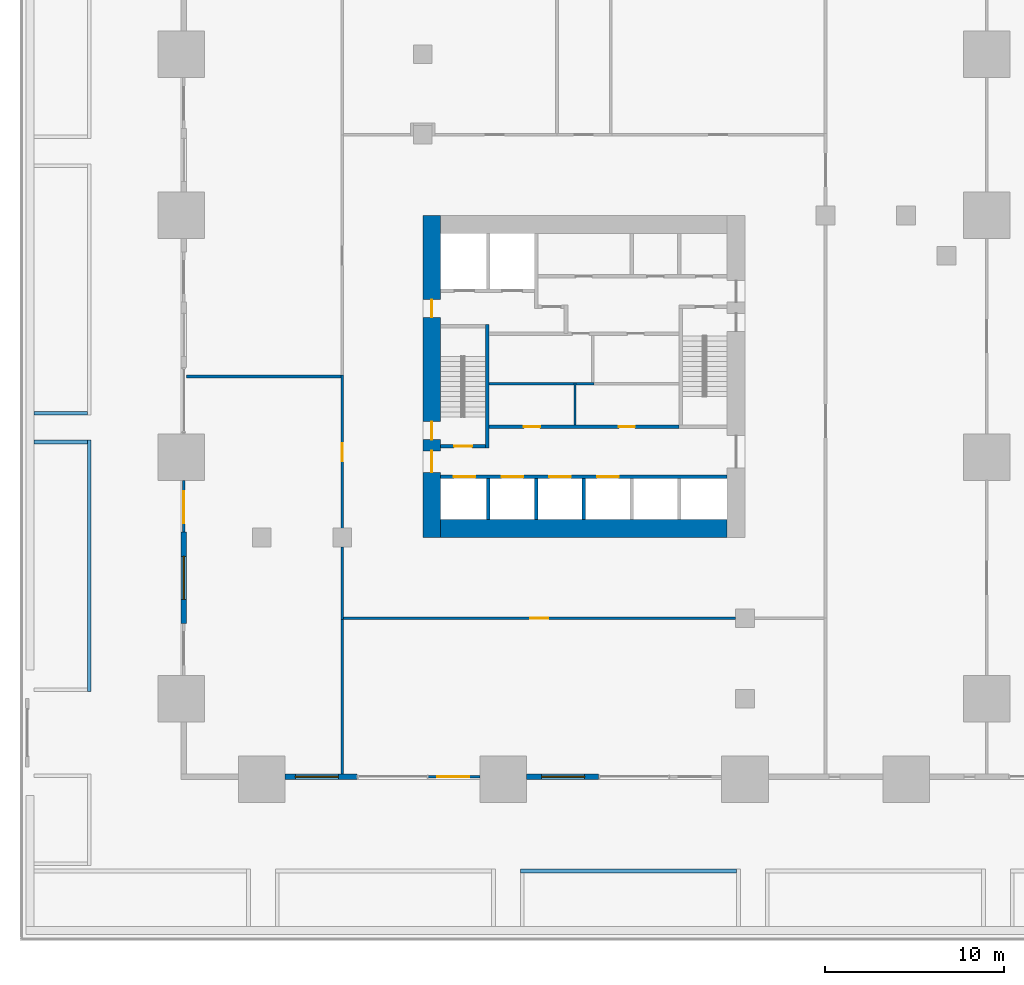
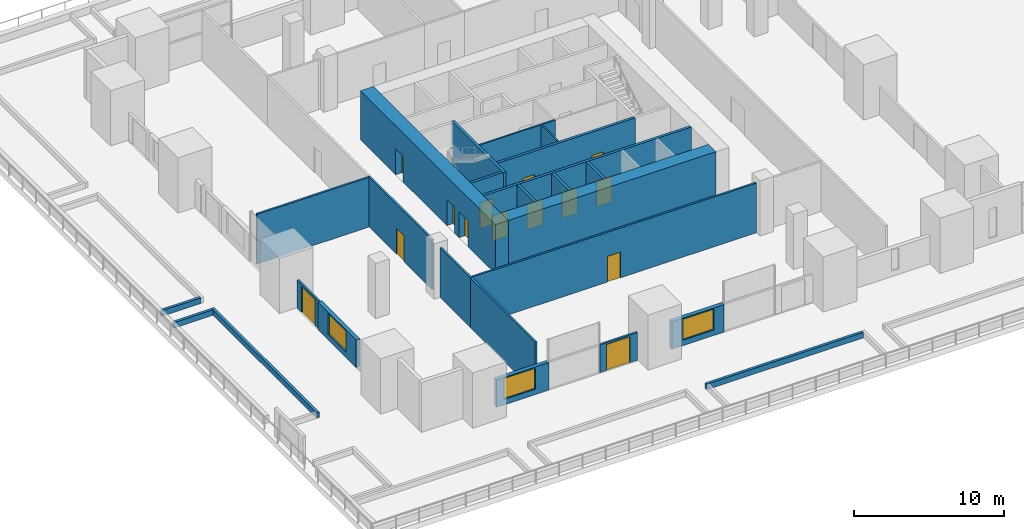
# One storey, part 14 of 26: 26 walls, 14 doors, 3 windows, 17 openings.
"""IFC4 building model written with IfcOpenShell, lengths in metres."""

from ifc_helpers import new_model, si_unit, direction, frame, frame_2d, origin, place, context, subcontext, project, spatial, rectangle, extrude, material, layer, layer_set, type_object, element, fill, save


model = new_model("IFC4")

# Units and contexts
model_context = context("Model", 3, precision=1e-05, world=origin(), true_north=direction((0.0, 1.0)))
body_context = subcontext(model_context, "Body", "Model", "MODEL_VIEW")
ifc_project = project(units=[si_unit("LENGTHUNIT", "METRE"), si_unit("AREAUNIT", "SQUARE_METRE"), si_unit("VOLUMEUNIT", "CUBIC_METRE"), si_unit("PLANEANGLEUNIT", "RADIAN"), si_unit("MASSUNIT", "GRAM", prefix="KILO")], contexts=[model_context])

# Site, building, storey
site_placement = place(None, origin())
site = spatial("IfcSite", under=ifc_project, at=site_placement, CompositionType="ELEMENT")
building_placement = place(site_placement, origin())
building = spatial("IfcBuilding", under=site, at=building_placement, Name="Altepetl Exchange Towers", CompositionType="ELEMENT")
storey_placement = place(building_placement, frame((0.0, 0.0, 16.5)))
storey = spatial("IfcBuildingStorey", under=building, at=storey_placement, Name="L03 Podium terrace", CompositionType="ELEMENT", Elevation=16.5)

# Wall
ifc_material_1 = material(Name="Concrete C70/85", Category="concrete")
ifc_layer_1 = layer(ifc_material_1, 1.0)
ifc_layer_set_1 = layer_set([ifc_layer_1], Name="Concrete C70/85")
wall_type_1 = type_object("IfcWallType", Name="Core wall 1000 reinforced concrete", PredefinedType="SHEAR", material=ifc_layer_set_1)
wall_1_placement = place(storey_placement, frame((41.5, 41.0, 0.0)))
element("IfcWall", 1, at=wall_1_placement, inside=storey, type_object=wall_type_1, Name="wall:A:L03:K-coreS", PredefinedType="SHEAR", context=body_context, shape_type="SweptSolid", body=[
    extrude(rectangle(XDim=16.0, YDim=1.0, at=frame_2d((8.0, 0.0))), origin(), (0.0, 0.0, 1.0), 4.0),
])

# Wall, openings, doors
wall_2_placement = place(storey_placement, frame((41.0, 40.5, 0.0), z_axis=(0.0, 0.0, 1.0), x_axis=(0.0, 1.0, 0.0)))
wall_2 = element("IfcWall", 2, at=wall_2_placement, inside=storey, type_object=wall_type_1, Name="wall:A:L03:K-coreW", PredefinedType="SHEAR", context=body_context, shape_type="SweptSolid", body=[
    extrude(rectangle(XDim=18.0, YDim=1.0, at=frame_2d((9.0, 0.0))), origin(), (0.0, 0.0, 1.0), 4.0),
])
opening_1_placement = place(wall_2_placement, frame((3.64990234375, 0.0, 0.0)))
opening_1 = element("IfcOpeningElement", 3, at=opening_1_placement, cuts=wall_2, Name="Opening L03.A62", PredefinedType="OPENING", context=body_context, shape_type="SweptSolid", body=[
    extrude(rectangle(XDim=1.199951171875, YDim=2.10009765625, at=frame_2d((0.60009765625, 1.050048828125))), frame((0.0, 0.510009765625, 0.0), z_axis=(0.0, -1.0, 0.0), x_axis=(1.0, 0.0, 0.0)), (0.0, 0.0, 1.0), 1.02001953125),
])
opening_2_placement = place(wall_2_placement, frame((5.47509765625, 0.0, 0.0)))
opening_2 = element("IfcOpeningElement", 4, at=opening_2_placement, cuts=wall_2, Name="Opening L03.A64", PredefinedType="OPENING", context=body_context, shape_type="SweptSolid", body=[
    extrude(rectangle(XDim=1.0, YDim=2.10009765625, at=frame_2d((0.5, 1.050048828125))), frame((0.0, 0.510009765625, 0.0), z_axis=(0.0, -1.0, 0.0), x_axis=(1.0, 0.0, 0.0)), (0.0, 0.0, 1.0), 1.02001953125),
])
opening_3_placement = place(wall_2_placement, frame((12.300048828125, 0.0, 0.0)))
opening_3 = element("IfcOpeningElement", 5, at=opening_3_placement, cuts=wall_2, Name="Opening L03.A68", PredefinedType="OPENING", context=body_context, shape_type="SweptSolid", body=[
    extrude(rectangle(XDim=1.0, YDim=2.10009765625, at=frame_2d((0.5, 1.050048828125))), frame((0.0, 0.510009765625, 0.0), z_axis=(0.0, -1.0, 0.0), x_axis=(1.0, 0.0, 0.0)), (0.0, 0.0, 1.0), 1.02001953125),
])
ifc_material_2 = material(Name="Steel and timber fire door", Category="steel")
door_type_1 = type_object("IfcDoorType", Name="Fire door 1000 x 2100 stair and lobby", OperationType="SINGLE_SWING_LEFT", PredefinedType="DOOR", material=ifc_material_2)
door_1_placement = place(opening_2_placement, frame((1.0, 0.0, 0.0), x_axis=(-1.0, 0.0, 0.0)))
door_1 = element("IfcDoor", 6, at=door_1_placement, inside=storey, type_object=door_type_1, Name="door:A:L03:K-dS1x", OperationType="SINGLE_SWING_RIGHT", OverallHeight=2.10009765625, OverallWidth=1.0, PredefinedType="DOOR", context=body_context, shape_type="SweptSolid", body=[
    extrude(rectangle(XDim=1.0, YDim=2.10009765625, at=frame_2d((0.5, 1.050048828125))), frame((0.0, 0.02490234375, 0.0), z_axis=(0.0, -1.0, 0.0), x_axis=(1.0, 0.0, 0.0)), (0.0, 0.0, 1.0), 0.050048828125),
])
fill(opening_2, door_1)
door_2_placement = place(opening_3_placement, frame((1.0, 0.0, 0.0), x_axis=(-1.0, 0.0, 0.0)))
door_2 = element("IfcDoor", 7, at=door_2_placement, inside=storey, type_object=door_type_1, Name="door:A:L03:K-dffW", OperationType="SINGLE_SWING_LEFT", OverallHeight=2.10009765625, OverallWidth=1.0, PredefinedType="DOOR", context=body_context, shape_type="SweptSolid", body=[
    extrude(rectangle(XDim=1.0, YDim=2.10009765625, at=frame_2d((0.5, 1.050048828125))), frame((0.0, 0.02490234375, 0.0), z_axis=(0.0, -1.0, 0.0), x_axis=(1.0, 0.0, 0.0)), (0.0, 0.0, 1.0), 0.050048828125),
])
fill(opening_3, door_2)
door_type_2 = type_object("IfcDoorType", Name="Fire door 1200 x 2100 lobby entry", OperationType="SINGLE_SWING_LEFT", PredefinedType="DOOR", material=ifc_material_2)
door_3_placement = place(opening_1_placement, frame((1.199951171875, 0.0, 0.0), x_axis=(-1.0, 0.0, 0.0)))
door_3 = element("IfcDoor", 8, at=door_3_placement, inside=storey, type_object=door_type_2, Name="door:A:L03:K-dLSW", OperationType="SINGLE_SWING_LEFT", OverallHeight=2.10009765625, OverallWidth=1.199951171875, PredefinedType="DOOR", context=body_context, shape_type="SweptSolid", body=[
    extrude(rectangle(XDim=1.199951171875, YDim=2.10009765625, at=frame_2d((0.60009765625, 1.050048828125))), frame((0.0, 0.02490234375, 0.0), z_axis=(0.0, -1.0, 0.0), x_axis=(1.0, 0.0, 0.0)), (0.0, 0.0, 1.0), 0.050048828125),
])
fill(opening_1, door_3)

# Wall, opening, door
ifc_material_3 = material(Name="Aluminium composite cladding", Category="aluminium")
ifc_layer_2 = layer(ifc_material_3, 0.14990234375)
ifc_layer_set_2 = layer_set([ifc_layer_2], Name="Aluminium composite cladding")
wall_type_2 = type_object("IfcWallType", Name="Infill wall 150 aluminium panel", PredefinedType="SOLIDWALL", material=ifc_layer_set_2)
wall_3_placement = place(storey_placement, frame((40.800048828125, 27.14990234375, 0.0)))
wall_3 = element("IfcWall", 9, at=wall_3_placement, inside=storey, type_object=wall_type_2, Name="Door bay wall", PredefinedType="SOLIDWALL", context=body_context, shape_type="SweptSolid", body=[
    extrude(rectangle(XDim=2.89990234375, YDim=0.14990234375, at=frame_2d((1.449951171875, 0.0))), origin(), (0.0, 0.0, 1.0), 2.25),
])
opening_4_placement = place(wall_3_placement, frame((0.5, 0.0, 0.0)))
opening_4 = element("IfcOpeningElement", 10, at=opening_4_placement, cuts=wall_3, Name="Opening L03.E08", PredefinedType="OPENING", context=body_context, shape_type="SweptSolid", body=[
    extrude(rectangle(XDim=1.800048828125, YDim=2.10009765625, at=frame_2d((0.89990234375, 1.050048828125))), frame((0.0, 0.0849609375, 0.0), z_axis=(0.0, -1.0, 0.0), x_axis=(1.0, 0.0, 0.0)), (0.0, 0.0, 1.0), 0.169921875),
])
ifc_material_4 = material(Name="Aluminium 6063-T6 and glass", Category="aluminium")
door_type_3 = type_object("IfcDoorType", Name="Glazed door pair 1800x2100", OperationType="DOUBLE_DOOR_DOUBLE_SWING", PredefinedType="NOTDEFINED", material=ifc_material_4)
door_4_placement = place(opening_4_placement, frame((1.800048828125, 0.0, 0.0), x_axis=(-1.0, 0.0, 0.0)))
door_4 = element("IfcDoor", 11, at=door_4_placement, inside=storey, type_object=door_type_3, Name="Terrace door", OperationType="DOUBLE_DOOR_DOUBLE_SWING", OverallHeight=2.10009765625, OverallWidth=1.800048828125, PredefinedType="NOTDEFINED", context=body_context, shape_type="SweptSolid", body=[
    extrude(rectangle(XDim=1.800048828125, YDim=2.10009765625, at=frame_2d((0.89990234375, 1.050048828125))), frame((0.0, 0.02490234375, 0.0), z_axis=(0.0, -1.0, 0.0), x_axis=(1.0, 0.0, 0.0)), (0.0, 0.0, 1.0), 0.050048828125),
])
fill(opening_4, door_4)

wall_4_placement = place(storey_placement, frame((27.14990234375, 43.699951171875, 0.0), z_axis=(0.0, 0.0, 1.0), x_axis=(0.0, -1.0, 0.0)))
wall_4 = element("IfcWall", 12, at=wall_4_placement, inside=storey, type_object=wall_type_2, Name="Door bay wall", PredefinedType="SOLIDWALL", context=body_context, shape_type="SweptSolid", body=[
    extrude(rectangle(XDim=2.89990234375, YDim=0.14990234375, at=frame_2d((1.449951171875, 0.0))), origin(), (0.0, 0.0, 1.0), 2.25),
])
opening_5_placement = place(wall_4_placement, frame((0.60009765625, 0.0, 0.0)))
opening_5 = element("IfcOpeningElement", 13, at=opening_5_placement, cuts=wall_4, Name="Opening L03.E05", PredefinedType="OPENING", context=body_context, shape_type="SweptSolid", body=[
    extrude(rectangle(XDim=1.800048828125, YDim=2.10009765625, at=frame_2d((0.89990234375, 1.050048828125))), frame((0.0, 0.0849609375, 0.0), z_axis=(0.0, -1.0, 0.0), x_axis=(1.0, 0.0, 0.0)), (0.0, 0.0, 1.0), 0.169921875),
])
door_5_placement = place(opening_5_placement, frame((1.800048828125, 0.0, 0.0), x_axis=(-1.0, 0.0, 0.0)))
door_5 = element("IfcDoor", 14, at=door_5_placement, inside=storey, type_object=door_type_3, Name="Terrace door", OperationType="DOUBLE_DOOR_DOUBLE_SWING", OverallHeight=2.10009765625, OverallWidth=1.800048828125, PredefinedType="NOTDEFINED", context=body_context, shape_type="SweptSolid", body=[
    extrude(rectangle(XDim=1.800048828125, YDim=2.10009765625, at=frame_2d((0.89990234375, 1.050048828125))), frame((0.0, 0.02490234375, 0.0), z_axis=(0.0, -1.0, 0.0), x_axis=(1.0, 0.0, 0.0)), (0.0, 0.0, 1.0), 0.050048828125),
])
fill(opening_5, door_5)

# Wall, openings, doors
ifc_material_5 = material(Name="Concrete blockwork", Category="masonry")
ifc_layer_3 = layer(ifc_material_5, 0.199951171875)
ifc_layer_set_3 = layer_set([ifc_layer_3], Name="Concrete blockwork")
wall_type_3 = type_object("IfcWallType", Name="Lobby wall 200 blockwork", PredefinedType="PARTITIONING", material=ifc_layer_set_3)
wall_5_placement = place(storey_placement, frame((44.199951171875, 46.699951171875, 0.0)))
wall_5 = element("IfcWall", 15, at=wall_5_placement, inside=storey, type_object=wall_type_3, Name="wall:A:L03:K-zoneS", PredefinedType="PARTITIONING", context=body_context, shape_type="SweptSolid", body=[
    extrude(rectangle(XDim=10.60009765625, YDim=0.199951171875, at=frame_2d((5.300048828125, 0.0))), origin(), (0.0, 0.0, 1.0), 4.0),
])
opening_6_placement = place(wall_5_placement, frame((1.949951171875, 0.0, 0.0)))
opening_6 = element("IfcOpeningElement", 16, at=opening_6_placement, cuts=wall_5, Name="Opening L03.A72", PredefinedType="OPENING", context=body_context, shape_type="SweptSolid", body=[
    extrude(rectangle(XDim=0.89990234375, YDim=2.10009765625, at=frame_2d((0.449951171875, 1.050048828125))), frame((0.0, 0.10986328125, 0.0), z_axis=(0.0, -1.0, 0.0), x_axis=(1.0, 0.0, 0.0)), (0.0, 0.0, 1.0), 0.219970703125),
])
opening_7_placement = place(wall_5_placement, frame((7.25, 0.0, 0.0)))
opening_7 = element("IfcOpeningElement", 17, at=opening_7_placement, cuts=wall_5, Name="Opening L03.A73", PredefinedType="OPENING", context=body_context, shape_type="SweptSolid", body=[
    extrude(rectangle(XDim=0.89990234375, YDim=2.10009765625, at=frame_2d((0.449951171875, 1.050048828125))), frame((0.0, 0.10986328125, 0.0), z_axis=(0.0, -1.0, 0.0), x_axis=(1.0, 0.0, 0.0)), (0.0, 0.0, 1.0), 0.219970703125),
])
door_type_4 = type_object("IfcDoorType", Name="Fire door 900 x 2100 service room", OperationType="SINGLE_SWING_LEFT", PredefinedType="DOOR", material=ifc_material_2)
door_6_placement = place(opening_6_placement, origin())
door_6 = element("IfcDoor", 18, at=door_6_placement, inside=storey, type_object=door_type_4, Name="door:A:L03:K-dz1", OperationType="SINGLE_SWING_LEFT", OverallHeight=2.10009765625, OverallWidth=0.89990234375, PredefinedType="DOOR", context=body_context, shape_type="SweptSolid", body=[
    extrude(rectangle(XDim=0.89990234375, YDim=2.10009765625, at=frame_2d((0.449951171875, 1.050048828125))), frame((0.0, 0.02490234375, 0.0), z_axis=(0.0, -1.0, 0.0), x_axis=(1.0, 0.0, 0.0)), (0.0, 0.0, 1.0), 0.050048828125),
])
fill(opening_6, door_6)
door_7_placement = place(opening_7_placement, origin())
door_7 = element("IfcDoor", 19, at=door_7_placement, inside=storey, type_object=door_type_4, Name="door:A:L03:K-dz2", OperationType="SINGLE_SWING_LEFT", OverallHeight=2.10009765625, OverallWidth=0.89990234375, PredefinedType="DOOR", context=body_context, shape_type="SweptSolid", body=[
    extrude(rectangle(XDim=0.89990234375, YDim=2.10009765625, at=frame_2d((0.449951171875, 1.050048828125))), frame((0.0, 0.02490234375, 0.0), z_axis=(0.0, -1.0, 0.0), x_axis=(1.0, 0.0, 0.0)), (0.0, 0.0, 1.0), 0.050048828125),
])
fill(opening_7, door_7)

# Walls
ifc_material_6 = material(Name="Gypsum board on steel studs", Category="steel")
ifc_layer_4 = layer(ifc_material_6, 0.125)
ifc_layer_set_4 = layer_set([ifc_layer_4], Name="Gypsum board on steel studs")
wall_type_4 = type_object("IfcWallType", Name="Partition 125 gypsum board on steel studs", PredefinedType="PARTITIONING", material=ifc_layer_set_4)
wall_6_placement = place(storey_placement, frame((49.0, 46.800048828125, 0.0), z_axis=(0.0, 0.0, 1.0), x_axis=(0.0, 1.0, 0.0)))
element("IfcWall", 20, at=wall_6_placement, inside=storey, type_object=wall_type_4, Name="wall:A:L03:K-zp1", PredefinedType="PARTITIONING", context=body_context, shape_type="SweptSolid", body=[
    extrude(rectangle(XDim=2.362548828125, YDim=0.125, at=frame_2d((1.18115234375, 0.0))), origin(), (0.0, 0.0, 1.0), 4.0),
])
wall_7_placement = place(storey_placement, frame((49.0, 49.10009765625, 0.0), z_axis=(0.0, 0.0, 1.0), x_axis=(-1.0, 0.0, 0.0)))
element("IfcWall", 21, at=wall_7_placement, inside=storey, type_object=wall_type_4, Name="wall:A:L03:K-zp2", PredefinedType="PARTITIONING", context=body_context, shape_type="SweptSolid", body=[
    extrude(rectangle(XDim=4.800048828125, YDim=0.125, at=frame_2d((2.39990234375, 0.0))), origin(), (0.0, 0.0, 1.0), 4.0),
])
wall_8_placement = place(storey_placement, frame((50.0625, 49.10009765625, 0.0), z_axis=(0.0, 0.0, 1.0), x_axis=(-1.0, 0.0, 0.0)))
element("IfcWall", 22, at=wall_8_placement, inside=storey, type_object=wall_type_4, Name="wall:A:L03:K-zp3", PredefinedType="PARTITIONING", context=body_context, shape_type="SweptSolid", body=[
    extrude(rectangle(XDim=1.0, YDim=0.125, at=frame_2d((0.5, 0.0))), origin(), (0.0, 0.0, 1.0), 4.0),
])
ifc_material_7 = material(Name="Reinforced concrete C35/45", Category="concrete")
ifc_layer_5 = layer(ifc_material_7, 0.199951171875)
ifc_layer_set_5 = layer_set([ifc_layer_5], Name="Reinforced concrete C35/45")
wall_type_5 = type_object("IfcWallType", Name="Planting bed curb 200", PredefinedType="SOLIDWALL", material=ifc_layer_set_5)
wall_9_placement = place(storey_placement, frame((45.949951171875, 21.875, 0.0)))
element("IfcWall", 23, at=wall_9_placement, inside=storey, type_object=wall_type_5, Name="wall:P:L03:CB06n", PredefinedType="SOLIDWALL", context=body_context, shape_type="SweptSolid", body=[
    extrude(rectangle(XDim=12.087646484375, YDim=0.199951171875, at=frame_2d((6.0439453125, 0.0))), origin(), (0.0, 0.0, 1.0), 0.449951171875),
])
wall_10_placement = place(storey_placement, frame((21.875, 31.89990234375, 0.0), z_axis=(0.0, 0.0, 1.0), x_axis=(0.0, 1.0, 0.0)))
element("IfcWall", 24, at=wall_10_placement, inside=storey, type_object=wall_type_5, Name="wall:P:L03:CB20e", PredefinedType="SOLIDWALL", context=body_context, shape_type="SweptSolid", body=[
    extrude(rectangle(XDim=14.041748046875, YDim=0.199951171875, at=frame_2d((7.02099609375, 0.0))), origin(), (0.0, 0.0, 1.0), 0.449951171875),
])
for number, where, name in (
    (25, (18.77490234375, 45.841796875, 0.0), "wall:P:L03:CB20n"),
    (26, (18.77490234375, 47.441650390625, 0.0), "wall:P:L03:CB21s"),
):
    element("IfcWall", number, at=place(storey_placement, frame(where)), inside=storey, type_object=wall_type_5, Name=name, PredefinedType="SOLIDWALL", context=body_context, shape_type="SweptSolid", body=[
        extrude(rectangle(XDim=3.0, YDim=0.199951171875, at=frame_2d((1.5, 0.0))), origin(), (0.0, 0.0, 1.0), 0.449951171875),
    ])
ifc_layer_6 = layer(ifc_material_6, 0.14990234375)
ifc_layer_set_6 = layer_set([ifc_layer_6], Name="Gypsum board on steel studs")
wall_type_6 = type_object("IfcWallType", Name="Podium partition 150", PredefinedType="PARTITIONING", material=ifc_layer_set_6)
wall_11_placement = place(storey_placement, frame((36.0, 35.925048828125, 0.0), z_axis=(0.0, 0.0, 1.0), x_axis=(0.0, 1.0, 0.0)))
element("IfcWall", 27, at=wall_11_placement, inside=storey, type_object=wall_type_6, Name="wall:P:L03:P016", PredefinedType="PARTITIONING", context=body_context, shape_type="SweptSolid", body=[
    extrude(rectangle(XDim=4.054931640625, YDim=0.14990234375, at=frame_2d((2.02734375, 0.0))), origin(), (0.0, 0.0, 1.0), 4.050048828125),
])

# Wall, opening, door
wall_12_placement = place(storey_placement, frame((36.0, 41.02001953125, 0.0), z_axis=(0.0, 0.0, 1.0), x_axis=(0.0, 1.0, 0.0)))
wall_12 = element("IfcWall", 28, at=wall_12_placement, inside=storey, type_object=wall_type_6, Name="wall:P:L03:P017", PredefinedType="PARTITIONING", context=body_context, shape_type="SweptSolid", body=[
    extrude(rectangle(XDim=8.554931640625, YDim=0.14990234375, at=frame_2d((4.27734375, 0.0))), origin(), (0.0, 0.0, 1.0), 4.050048828125),
])
opening_8_placement = place(wall_12_placement, frame((3.75, 0.0, 0.0)))
opening_8 = element("IfcOpeningElement", 29, at=opening_8_placement, cuts=wall_12, Name="Opening L03.P001", PredefinedType="OPENING", context=body_context, shape_type="SweptSolid", body=[
    extrude(rectangle(XDim=1.0, YDim=2.10009765625, at=frame_2d((0.5, 1.050048828125))), frame((0.0, 0.0849609375, 0.0), z_axis=(0.0, -1.0, 0.0), x_axis=(1.0, 0.0, 0.0)), (0.0, 0.0, 1.0), 0.169921875),
])
door_type_5 = type_object("IfcDoorType", Name="Podium fire door 1000 x 2100 single leaf", OperationType="SINGLE_SWING_LEFT", PredefinedType="DOOR", material=ifc_material_2)
door_8_placement = place(opening_8_placement, origin())
door_8 = element("IfcDoor", 30, at=door_8_placement, inside=storey, type_object=door_type_5, Name="door:P:L03:001", OperationType="SINGLE_SWING_RIGHT", OverallHeight=2.10009765625, OverallWidth=1.0, PredefinedType="DOOR", context=body_context, shape_type="SweptSolid", body=[
    extrude(rectangle(XDim=1.0, YDim=2.10009765625, at=frame_2d((0.5, 1.050048828125))), frame((0.0, 0.02490234375, 0.0), z_axis=(0.0, -1.0, 0.0), x_axis=(1.0, 0.0, 0.0)), (0.0, 0.0, 1.0), 0.050048828125),
])
fill(opening_8, door_8)

wall_13_placement = place(storey_placement, frame((36.074951171875, 36.0, 0.0)))
wall_13 = element("IfcWall", 31, at=wall_13_placement, inside=storey, type_object=wall_type_6, Name="wall:P:L03:P019", PredefinedType="PARTITIONING", context=body_context, shape_type="SweptSolid", body=[
    extrude(rectangle(XDim=21.905029296875, YDim=0.14990234375, at=frame_2d((10.95263671875, 0.0))), origin(), (0.0, 0.0, 1.0), 4.050048828125),
])
opening_9_placement = place(wall_13_placement, frame((10.425048828125, 0.0, 0.0)))
opening_9 = element("IfcOpeningElement", 32, at=opening_9_placement, cuts=wall_13, Name="Opening L03.P003", PredefinedType="OPENING", context=body_context, shape_type="SweptSolid", body=[
    extrude(rectangle(XDim=1.0, YDim=2.10009765625, at=frame_2d((0.5, 1.050048828125))), frame((0.0, 0.0849609375, 0.0), z_axis=(0.0, -1.0, 0.0), x_axis=(1.0, 0.0, 0.0)), (0.0, 0.0, 1.0), 0.169921875),
])
door_9_placement = place(opening_9_placement, frame((1.0, 0.0, 0.0), x_axis=(-1.0, 0.0, 0.0)))
door_9 = element("IfcDoor", 33, at=door_9_placement, inside=storey, type_object=door_type_5, Name="door:P:L03:003", OperationType="SINGLE_SWING_LEFT", OverallHeight=2.10009765625, OverallWidth=1.0, PredefinedType="DOOR", context=body_context, shape_type="SweptSolid", body=[
    extrude(rectangle(XDim=1.0, YDim=2.10009765625, at=frame_2d((0.5, 1.050048828125))), frame((0.0, 0.02490234375, 0.0), z_axis=(0.0, -1.0, 0.0), x_axis=(1.0, 0.0, 0.0)), (0.0, 0.0, 1.0), 0.050048828125),
])
fill(opening_9, door_9)

# Walls
wall_14_placement = place(storey_placement, frame((27.300048828125, 49.5, 0.0)))
element("IfcWall", 34, at=wall_14_placement, inside=storey, type_object=wall_type_6, Name="wall:P:L03:P028", PredefinedType="PARTITIONING", context=body_context, shape_type="SweptSolid", body=[
    extrude(rectangle(XDim=8.625, YDim=0.14990234375, at=frame_2d((4.3125, 0.0))), origin(), (0.0, 0.0, 1.0), 4.050048828125),
])
wall_15_placement = place(storey_placement, frame((36.0, 27.300048828125, 0.0), z_axis=(0.0, 0.0, 1.0), x_axis=(0.0, 1.0, 0.0)))
element("IfcWall", 35, at=wall_15_placement, inside=storey, type_object=wall_type_6, Name="wall:P:L03:P029", PredefinedType="PARTITIONING", context=body_context, shape_type="SweptSolid", body=[
    extrude(rectangle(XDim=8.699951171875, YDim=0.14990234375, at=frame_2d((4.35009765625, 0.0))), origin(), (0.0, 0.0, 1.0), 4.050048828125),
])
ifc_material_8 = material(Name="Concrete C40/50", Category="concrete")
ifc_layer_7 = layer(ifc_material_8, 0.199951171875)
ifc_layer_set_7 = layer_set([ifc_layer_7], Name="Concrete C40/50")
wall_type_7 = type_object("IfcWallType", Name="Shaft wall 200 reinforced concrete", PredefinedType="SHEAR", material=ifc_layer_set_7)
for number, where, z_axis, x_axis, name in (
    (36, (44.166748046875, 41.5, 0.0), (0.0, 0.0, 1.0), (0.0, 1.0, 0.0), "wall:A:L03:K-divS1"),
    (37, (46.833251953125, 41.5, 0.0), (0.0, 0.0, 1.0), (0.0, 1.0, 0.0), "wall:A:L03:K-divS2"),
    (38, (49.5, 41.5, 0.0), (0.0, 0.0, 1.0), (0.0, 1.0, 0.0), "wall:A:L03:K-divS3"),
):
    element("IfcWall", number, at=place(storey_placement, frame(where, z_axis=z_axis, x_axis=x_axis)), inside=storey, type_object=wall_type_7, Name=name, PredefinedType="SHEAR", context=body_context, shape_type="SweptSolid", body=[
        extrude(rectangle(XDim=2.300048828125, YDim=0.199951171875, at=frame_2d((1.14990234375, 0.0))), origin(), (0.0, 0.0, 1.0), 4.0),
    ])

# Wall, openings, doors
wall_16_placement = place(storey_placement, frame((41.5, 43.89990234375, 0.0)))
wall_16 = element("IfcWall", 39, at=wall_16_placement, inside=storey, type_object=wall_type_7, Name="wall:A:L03:K-frontS", PredefinedType="SHEAR", context=body_context, shape_type="SweptSolid", body=[
    extrude(rectangle(XDim=16.0, YDim=0.199951171875, at=frame_2d((8.0, 0.0))), origin(), (0.0, 0.0, 1.0), 4.0),
])
opening_10_placement = place(wall_16_placement, frame((0.7333984375, 0.0, 0.0)))
opening_10 = element("IfcOpeningElement", 40, at=opening_10_placement, cuts=wall_16, Name="Opening L03.A78", PredefinedType="OPENING", context=body_context, shape_type="SweptSolid", body=[
    extrude(rectangle(XDim=1.199951171875, YDim=2.10009765625, at=frame_2d((0.60009765625, 1.050048828125))), frame((0.0, 0.10986328125, 0.0), z_axis=(0.0, -1.0, 0.0), x_axis=(1.0, 0.0, 0.0)), (0.0, 0.0, 1.0), 0.219970703125),
])
opening_11_placement = place(wall_16_placement, frame((3.39990234375, 0.0, 0.0)))
opening_11 = element("IfcOpeningElement", 41, at=opening_11_placement, cuts=wall_16, Name="Opening L03.A79", PredefinedType="OPENING", context=body_context, shape_type="SweptSolid", body=[
    extrude(rectangle(XDim=1.199951171875, YDim=2.10009765625, at=frame_2d((0.60009765625, 1.050048828125))), frame((0.0, 0.10986328125, 0.0), z_axis=(0.0, -1.0, 0.0), x_axis=(1.0, 0.0, 0.0)), (0.0, 0.0, 1.0), 0.219970703125),
])
opening_12_placement = place(wall_16_placement, frame((6.066650390625, 0.0, 0.0)))
opening_12 = element("IfcOpeningElement", 42, at=opening_12_placement, cuts=wall_16, Name="Opening L03.A80", PredefinedType="OPENING", context=body_context, shape_type="SweptSolid", body=[
    extrude(rectangle(XDim=1.199951171875, YDim=2.10009765625, at=frame_2d((0.60009765625, 1.050048828125))), frame((0.0, 0.10986328125, 0.0), z_axis=(0.0, -1.0, 0.0), x_axis=(1.0, 0.0, 0.0)), (0.0, 0.0, 1.0), 0.219970703125),
])
opening_13_placement = place(wall_16_placement, frame((8.7333984375, 0.0, 0.0)))
opening_13 = element("IfcOpeningElement", 43, at=opening_13_placement, cuts=wall_16, Name="Opening L03.A81", PredefinedType="OPENING", context=body_context, shape_type="SweptSolid", body=[
    extrude(rectangle(XDim=1.199951171875, YDim=2.10009765625, at=frame_2d((0.60009765625, 1.050048828125))), frame((0.0, 0.10986328125, 0.0), z_axis=(0.0, -1.0, 0.0), x_axis=(1.0, 0.0, 0.0)), (0.0, 0.0, 1.0), 0.219970703125),
])
ifc_material_9 = material(Name="Stainless steel", Category="steel")
door_type_6 = type_object("IfcDoorType", Name="Lift landing door 1200 x 2100", OperationType="SLIDING_TO_LEFT", PredefinedType="DOOR", material=ifc_material_9)
door_10_placement = place(opening_10_placement, origin())
door_10 = element("IfcDoor", 44, at=door_10_placement, inside=storey, type_object=door_type_6, Name="Landing door P1", OperationType="SLIDING_TO_LEFT", OverallHeight=2.10009765625, OverallWidth=1.199951171875, PredefinedType="DOOR", context=body_context, shape_type="SweptSolid", body=[
    extrude(rectangle(XDim=1.199951171875, YDim=2.10009765625, at=frame_2d((0.60009765625, 1.050048828125))), frame((0.0, 0.02490234375, 0.0), z_axis=(0.0, -1.0, 0.0), x_axis=(1.0, 0.0, 0.0)), (0.0, 0.0, 1.0), 0.050048828125),
])
fill(opening_10, door_10)
door_11_placement = place(opening_11_placement, origin())
door_11 = element("IfcDoor", 45, at=door_11_placement, inside=storey, type_object=door_type_6, Name="Landing door P2", OperationType="SLIDING_TO_LEFT", OverallHeight=2.10009765625, OverallWidth=1.199951171875, PredefinedType="DOOR", context=body_context, shape_type="SweptSolid", body=[
    extrude(rectangle(XDim=1.199951171875, YDim=2.10009765625, at=frame_2d((0.60009765625, 1.050048828125))), frame((0.0, 0.02490234375, 0.0), z_axis=(0.0, -1.0, 0.0), x_axis=(1.0, 0.0, 0.0)), (0.0, 0.0, 1.0), 0.050048828125),
])
fill(opening_11, door_11)
door_12_placement = place(opening_12_placement, origin())
door_12 = element("IfcDoor", 46, at=door_12_placement, inside=storey, type_object=door_type_6, Name="Landing door P3", OperationType="SLIDING_TO_LEFT", OverallHeight=2.10009765625, OverallWidth=1.199951171875, PredefinedType="DOOR", context=body_context, shape_type="SweptSolid", body=[
    extrude(rectangle(XDim=1.199951171875, YDim=2.10009765625, at=frame_2d((0.60009765625, 1.050048828125))), frame((0.0, 0.02490234375, 0.0), z_axis=(0.0, -1.0, 0.0), x_axis=(1.0, 0.0, 0.0)), (0.0, 0.0, 1.0), 0.050048828125),
])
fill(opening_12, door_12)
door_13_placement = place(opening_13_placement, origin())
door_13 = element("IfcDoor", 47, at=door_13_placement, inside=storey, type_object=door_type_6, Name="Landing door P4", OperationType="SLIDING_TO_LEFT", OverallHeight=2.10009765625, OverallWidth=1.199951171875, PredefinedType="DOOR", context=body_context, shape_type="SweptSolid", body=[
    extrude(rectangle(XDim=1.199951171875, YDim=2.10009765625, at=frame_2d((0.60009765625, 1.050048828125))), frame((0.0, 0.02490234375, 0.0), z_axis=(0.0, -1.0, 0.0), x_axis=(1.0, 0.0, 0.0)), (0.0, 0.0, 1.0), 0.050048828125),
])
fill(opening_13, door_13)

# Wall
ifc_layer_8 = layer(ifc_material_8, 0.199951171875)
ifc_layer_set_8 = layer_set([ifc_layer_8], Name="Concrete C40/50")
wall_type_8 = type_object("IfcWallType", Name="Stair wall 200 reinforced concrete", PredefinedType="SHEAR", material=ifc_layer_set_8)
wall_17_placement = place(storey_placement, frame((44.10009765625, 45.5, 0.0), z_axis=(0.0, 0.0, 1.0), x_axis=(0.0, 1.0, 0.0)))
element("IfcWall", 48, at=wall_17_placement, inside=storey, type_object=wall_type_8, Name="wall:A:L03:K-stS1E", PredefinedType="SHEAR", context=body_context, shape_type="SweptSolid", body=[
    extrude(rectangle(XDim=6.89990234375, YDim=0.199951171875, at=frame_2d((3.449951171875, 0.0))), origin(), (0.0, 0.0, 1.0), 4.0),
])

# Wall, opening, door
wall_18_placement = place(storey_placement, frame((41.5, 45.60009765625, 0.0)))
wall_18 = element("IfcWall", 49, at=wall_18_placement, inside=storey, type_object=wall_type_8, Name="wall:A:L03:K-stS1S", PredefinedType="SHEAR", context=body_context, shape_type="SweptSolid", body=[
    extrude(rectangle(XDim=2.5, YDim=0.199951171875, at=frame_2d((1.25, 0.0))), origin(), (0.0, 0.0, 1.0), 4.0),
])
opening_14_placement = place(wall_18_placement, frame((0.75, 0.0, 0.0)))
opening_14 = element("IfcOpeningElement", 50, at=opening_14_placement, cuts=wall_18, Name="Opening L03.A63", PredefinedType="OPENING", context=body_context, shape_type="SweptSolid", body=[
    extrude(rectangle(XDim=1.0, YDim=2.10009765625, at=frame_2d((0.5, 1.050048828125))), frame((0.0, 0.10986328125, 0.0), z_axis=(0.0, -1.0, 0.0), x_axis=(1.0, 0.0, 0.0)), (0.0, 0.0, 1.0), 0.219970703125),
])
door_14_placement = place(opening_14_placement, origin())
door_14 = element("IfcDoor", 51, at=door_14_placement, inside=storey, type_object=door_type_1, Name="door:A:L03:K-dS1in", OperationType="SINGLE_SWING_RIGHT", OverallHeight=2.10009765625, OverallWidth=1.0, PredefinedType="DOOR", context=body_context, shape_type="SweptSolid", body=[
    extrude(rectangle(XDim=1.0, YDim=2.10009765625, at=frame_2d((0.5, 1.050048828125))), frame((0.0, 0.02490234375, 0.0), z_axis=(0.0, -1.0, 0.0), x_axis=(1.0, 0.0, 0.0)), (0.0, 0.0, 1.0), 0.050048828125),
])
fill(opening_14, door_14)

# Wall, opening, window
ifc_material_10 = material(Name="Cantera limestone cladding", Category="masonry")
ifc_layer_9 = layer(ifc_material_10, 0.300048828125)
ifc_layer_set_9 = layer_set([ifc_layer_9], Name="Cantera limestone cladding")
wall_type_9 = type_object("IfcWallType", Name="Stone wall panel 300", PredefinedType="ELEMENTEDWALL", material=ifc_layer_set_9)
wall_19_placement = place(storey_placement, frame((32.800048828125, 27.14990234375, 0.0)))
wall_19 = element("IfcWall", 52, at=wall_19_placement, inside=storey, type_object=wall_type_9, Name="Stone wall panel", PredefinedType="ELEMENTEDWALL", context=body_context, shape_type="SweptSolid", body=[
    extrude(rectangle(XDim=4.02490234375, YDim=0.300048828125, at=frame_2d((2.012451171875, 0.0))), origin(), (0.0, 0.0, 1.0), 2.25),
])
opening_15_placement = place(wall_19_placement, frame((0.58740234375, 0.0, 0.449951171875)))
opening_15 = element("IfcOpeningElement", 53, at=opening_15_placement, cuts=wall_19, Name="Opening W4", PredefinedType="OPENING", context=body_context, shape_type="SweptSolid", body=[
    extrude(rectangle(XDim=2.39990234375, YDim=1.699951171875, at=frame_2d((1.199951171875, 0.85009765625))), frame((0.0, 0.16015625, 0.0), z_axis=(0.0, -1.0, 0.0), x_axis=(1.0, 0.0, 0.0)), (0.0, 0.0, 1.0), 0.320068359375),
])
window_type = type_object("IfcWindowType", Name="Shopfront window 2400x1700", PartitioningType="SINGLE_PANEL", PredefinedType="WINDOW", material=ifc_material_4)
window_1_placement = place(opening_15_placement, origin())
window_1 = element("IfcWindow", 54, at=window_1_placement, inside=storey, type_object=window_type, Name="Window", OverallHeight=1.699951171875, OverallWidth=2.39990234375, PartitioningType="SINGLE_PANEL", PredefinedType="WINDOW", context=body_context, shape_type="SweptSolid", body=[
    extrude(rectangle(XDim=2.39990234375, YDim=1.699951171875, at=frame_2d((1.199951171875, 0.85009765625))), frame((0.0, 0.030029296875, 0.0), z_axis=(0.0, -1.0, 0.0), x_axis=(1.0, 0.0, 0.0)), (0.0, 0.0, 1.0), 0.06005859375),
])
fill(opening_15, window_1)

wall_20_placement = place(storey_placement, frame((46.300048828125, 27.14990234375, 0.0)))
wall_20 = element("IfcWall", 55, at=wall_20_placement, inside=storey, type_object=wall_type_9, Name="Stone wall panel", PredefinedType="ELEMENTEDWALL", context=body_context, shape_type="SweptSolid", body=[
    extrude(rectangle(XDim=4.02490234375, YDim=0.300048828125, at=frame_2d((2.012451171875, 0.0))), origin(), (0.0, 0.0, 1.0), 2.25),
])
opening_16_placement = place(wall_20_placement, frame((0.83740234375, 0.0, 0.449951171875)))
opening_16 = element("IfcOpeningElement", 56, at=opening_16_placement, cuts=wall_20, Name="Opening W4", PredefinedType="OPENING", context=body_context, shape_type="SweptSolid", body=[
    extrude(rectangle(XDim=2.39990234375, YDim=1.699951171875, at=frame_2d((1.199951171875, 0.85009765625))), frame((0.0, 0.16015625, 0.0), z_axis=(0.0, -1.0, 0.0), x_axis=(1.0, 0.0, 0.0)), (0.0, 0.0, 1.0), 0.320068359375),
])
window_2_placement = place(opening_16_placement, origin())
window_2 = element("IfcWindow", 57, at=window_2_placement, inside=storey, type_object=window_type, Name="Window", OverallHeight=1.699951171875, OverallWidth=2.39990234375, PartitioningType="SINGLE_PANEL", PredefinedType="WINDOW", context=body_context, shape_type="SweptSolid", body=[
    extrude(rectangle(XDim=2.39990234375, YDim=1.699951171875, at=frame_2d((1.199951171875, 0.85009765625))), frame((0.0, 0.030029296875, 0.0), z_axis=(0.0, -1.0, 0.0), x_axis=(1.0, 0.0, 0.0)), (0.0, 0.0, 1.0), 0.06005859375),
])
fill(opening_16, window_2)

wall_21_placement = place(storey_placement, frame((27.14990234375, 40.800048828125, 0.0), z_axis=(0.0, 0.0, 1.0), x_axis=(0.0, -1.0, 0.0)))
wall_21 = element("IfcWall", 58, at=wall_21_placement, inside=storey, type_object=wall_type_9, Name="Stone wall panel", PredefinedType="ELEMENTEDWALL", context=body_context, shape_type="SweptSolid", body=[
    extrude(rectangle(XDim=5.10009765625, YDim=0.300048828125, at=frame_2d((2.550048828125, 0.0))), origin(), (0.0, 0.0, 1.0), 2.25),
])
opening_17_placement = place(wall_21_placement, frame((1.35009765625, 0.0, 0.449951171875)))
opening_17 = element("IfcOpeningElement", 59, at=opening_17_placement, cuts=wall_21, Name="Opening W4", PredefinedType="OPENING", context=body_context, shape_type="SweptSolid", body=[
    extrude(rectangle(XDim=2.39990234375, YDim=1.699951171875, at=frame_2d((1.199951171875, 0.85009765625))), frame((0.0, 0.16015625, 0.0), z_axis=(0.0, -1.0, 0.0), x_axis=(1.0, 0.0, 0.0)), (0.0, 0.0, 1.0), 0.320068359375),
])
window_3_placement = place(opening_17_placement, origin())
window_3 = element("IfcWindow", 60, at=window_3_placement, inside=storey, type_object=window_type, Name="Window", OverallHeight=1.699951171875, OverallWidth=2.39990234375, PartitioningType="SINGLE_PANEL", PredefinedType="WINDOW", context=body_context, shape_type="SweptSolid", body=[
    extrude(rectangle(XDim=2.39990234375, YDim=1.699951171875, at=frame_2d((1.199951171875, 0.85009765625))), frame((0.0, 0.030029296875, 0.0), z_axis=(0.0, -1.0, 0.0), x_axis=(1.0, 0.0, 0.0)), (0.0, 0.0, 1.0), 0.06005859375),
])
fill(opening_17, window_3)

save(model, "model.ifc")
